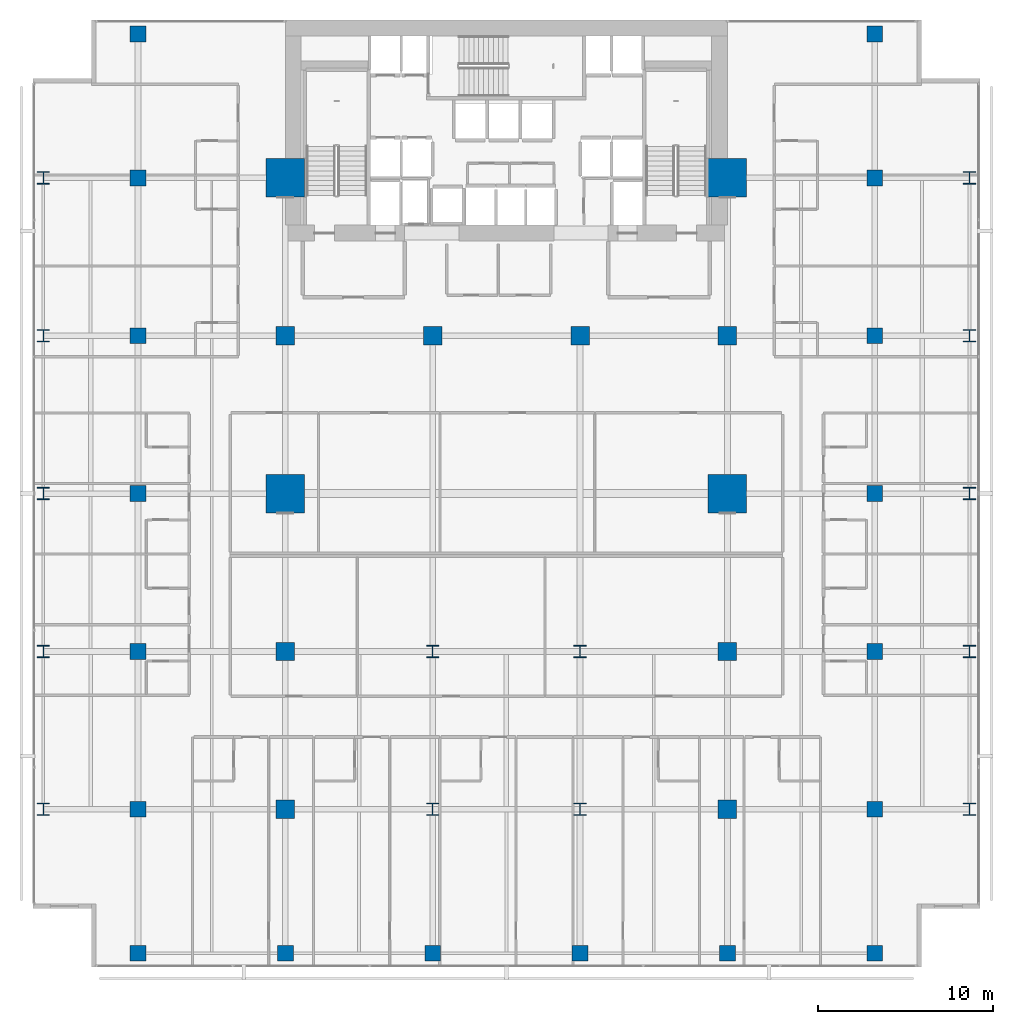
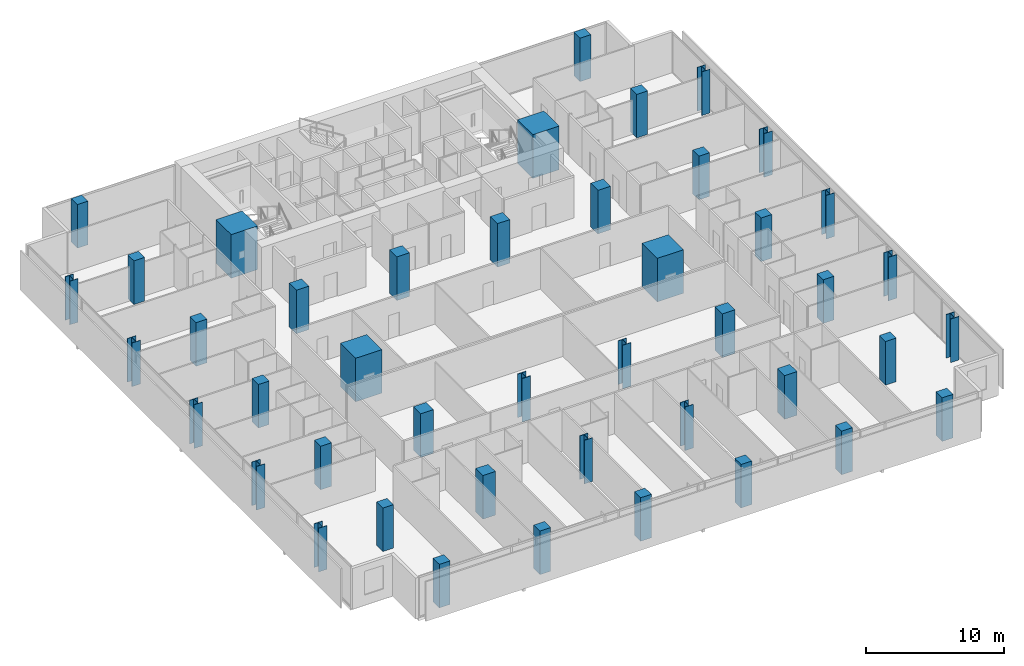
# One storey, part 1 of 41: 44 columns.
"""IFC4 building model written with IfcOpenShell, lengths in metres."""

import ifcopenshell
import ifcopenshell.guid

model = None  # the IFC model being written
_history = None  # IfcOwnerHistory: only IFC2X3 demands one
_inside = {}  # id of a spatial element -> (the spatial element, [elements in it])
_under = {}  # id of a project, library or spatial element -> (it, [spatial elements below it])
_declared = {}  # id of a project -> (the project, [libraries it declares])
_typed = {}  # id of a type object -> (the type object, [elements of that type])
_made_of = {}  # id of a material, layer set ... -> (it, [elements and type objects made of it])


def new_model(schema):
    """Start an empty IFC model of exactly this schema.

    Asked for "IFC4X3", IfcOpenShell would pick the latest addendum, in which some entities
    have other attributes; the version numbers below select the first issue.
    IFC2X3 requires an IfcOwnerHistory on every rooted entity: one is made here for all.
    """
    global model, _history
    if schema == "IFC4X3":
        model = ifcopenshell.file(schema_version=(4, 3, 0, 0))
    else:
        model = ifcopenshell.file(schema=schema)
    _inside.clear()
    _under.clear()
    _declared.clear()
    _typed.clear()
    _made_of.clear()
    _history = None
    if model.schema == "IFC2X3":
        org = make("IfcOrganization", Name="unknown")
        user = make(
            "IfcPersonAndOrganization",
            ThePerson=make("IfcPerson", FamilyName="unknown"),
            TheOrganization=org,
        )
        app = make(
            "IfcApplication",
            ApplicationDeveloper=org,
            Version="unknown",
            ApplicationFullName="unknown",
            ApplicationIdentifier="unknown",
        )
        _history = make(
            "IfcOwnerHistory",
            OwningUser=user,
            OwningApplication=app,
            ChangeAction="ADDED",
            CreationDate=0,
        )
    return model


def make(cls, **values):
    """One entity of the class cls with the attributes given. An attribute that is None is left unset."""
    return model.create_entity(
        cls, **{name: value for name, value in values.items() if value is not None}
    )


def rooted(cls, **values):
    """An entity with a GlobalId (a new one), such as an element, a storey or a relation."""
    return make(cls, GlobalId=ifcopenshell.guid.new(), OwnerHistory=_history, **values)


def si_unit(unit_type, name, prefix=None):
    """IfcSIUnit, for example si_unit("LENGTHUNIT", "METRE", prefix="MILLI")."""
    return make("IfcSIUnit", UnitType=unit_type, Prefix=prefix, Name=name)


def assignment(units):
    """IfcUnitAssignment: the units of a project."""
    return None if units is None else make("IfcUnitAssignment", Units=units)


def point(xyz):
    """IfcCartesianPoint."""
    return None if xyz is None else make("IfcCartesianPoint", Coordinates=xyz)


def direction(xyz):
    """IfcDirection."""
    return None if xyz is None else make("IfcDirection", DirectionRatios=xyz)


def frame(location, z_axis=None, x_axis=None):
    """IfcAxis2Placement3D, a coordinate frame: its origin and axes. An axis left out is left unset."""
    return make(
        "IfcAxis2Placement3D",
        Location=point(location),
        Axis=direction(z_axis),
        RefDirection=direction(x_axis),
    )


def frame_2d(location, x_axis=None):
    """IfcAxis2Placement2D, a coordinate frame in the plane: its origin and x axis."""
    return make(
        "IfcAxis2Placement2D", Location=point(location), RefDirection=direction(x_axis)
    )


def origin():
    """The frame at (0, 0, 0) with its axes left unset."""
    return frame((0.0, 0.0, 0.0))


def origin_2d():
    """The frame at (0, 0) in the plane with its x axis left unset."""
    return frame_2d((0.0, 0.0))


def place(relative_to, where):
    """IfcLocalPlacement: puts the frame where relative to a parent placement (None: the world)."""
    return make(
        "IfcLocalPlacement", PlacementRelTo=relative_to, RelativePlacement=where
    )


def context(
    kind, dimensions, precision=None, world=None, true_north=None, identifier=None
):
    """IfcGeometricRepresentationContext, for example the 3D "Model" context."""
    return make(
        "IfcGeometricRepresentationContext",
        ContextIdentifier=identifier,
        ContextType=kind,
        CoordinateSpaceDimension=dimensions,
        Precision=precision,
        WorldCoordinateSystem=world,
        TrueNorth=true_north,
    )


def subcontext(parent, identifier, kind, view, scale=None):
    """IfcGeometricRepresentationSubContext, for example "Body" below "Model"."""
    return make(
        "IfcGeometricRepresentationSubContext",
        ContextIdentifier=identifier,
        ContextType=kind,
        ParentContext=parent,
        TargetScale=scale,
        TargetView=view,
    )


def project(units=None, contexts=None):
    """IfcProject with its units and contexts."""
    return rooted(
        "IfcProject",
        Name="project",
        RepresentationContexts=contexts,
        UnitsInContext=assignment(units),
    )


def spatial(cls, under=None, at=None, **own):
    """A site, building, storey or space (cls), placed at a placement, below another one or the project."""
    s = rooted(cls, ObjectPlacement=at, **own)
    if under is not None:
        _under.setdefault(under.id(), (under, []))[1].append(s)
    return s


def profile(cls, at=None, kind="AREA", **sizes):
    """A parametric profile (cls). Its sizes go by their IFC names, for example OverallWidth=200.0."""
    return make(cls, ProfileType=kind, Position=at, **sizes)


def rectangle(**sizes):
    """IfcRectangleProfileDef."""
    return profile("IfcRectangleProfileDef", **sizes)


def i_section(**sizes):
    """IfcIShapeProfileDef."""
    return profile("IfcIShapeProfileDef", **sizes)


def extrude(swept, where, along, depth):
    """IfcExtrudedAreaSolid: the profile swept, set in the frame where, extruded along a direction by depth."""
    return make(
        "IfcExtrudedAreaSolid",
        SweptArea=swept,
        Position=where,
        ExtrudedDirection=direction(along),
        Depth=depth,
    )


def shape(context_of_items, identifier, shape_type, items):
    """IfcShapeRepresentation: the items that make up one representation, for example the "Body"."""
    return make(
        "IfcShapeRepresentation",
        ContextOfItems=context_of_items,
        RepresentationIdentifier=identifier,
        RepresentationType=shape_type,
        Items=items,
    )


def material(Name=None, Category=None):
    """IfcMaterial."""
    return make("IfcMaterial", Name=Name, Category=Category)


def material_profile(
    of_material, cross_section, Name=None, Category=None, Priority=None
):
    """IfcMaterialProfile: a cross section and its material."""
    return make(
        "IfcMaterialProfile",
        Name=Name,
        Material=of_material,
        Profile=cross_section,
        Priority=Priority,
        Category=Category,
    )


def profile_set(profiles, Name=None, composite=None):
    """IfcMaterialProfileSet."""
    return make(
        "IfcMaterialProfileSet",
        Name=Name,
        MaterialProfiles=profiles,
        CompositeProfile=composite,
    )


def made_of(thing, what):
    """Note that an element or type object is made of a material, layer set ...; save() writes the relation."""
    if what is not None:
        _made_of.setdefault(what.id(), (what, []))[1].append(thing)
    return thing


def type_object(cls, material=None, **own):
    """A type object (cls), such as IfcWallType, which elements share."""
    return made_of(rooted(cls, **own), material)


def element(
    cls,
    number,
    at=None,
    inside=None,
    cuts=None,
    type_object=None,
    material=None,
    context=None,
    identifier="Body",
    shape_type=None,
    held_by="IfcProductDefinitionShape",
    body=None,
    shapes=None,
    **own,
):
    """One element of the class cls, such as IfcWall. Its Tag is "e" and its number.

    at: its placement. inside: the storey or other place that contains it. cuts: it is an
    opening in that element (IfcRelVoidsElement). A single representation is given by context,
    identifier, shape_type and body (its items); several are given by shapes. held_by: the class
    of the entity that holds the representations. save() writes the other relations.
    """
    e = rooted(cls, Tag="e%d" % number, ObjectPlacement=at, **own)
    if body is not None:
        shapes = [shape(context, identifier, shape_type, body)]
    if shapes is not None:
        e.Representation = make(held_by, Representations=shapes)
    if inside is not None:
        _inside.setdefault(inside.id(), (inside, []))[1].append(e)
    if cuts is not None:
        rooted(
            "IfcRelVoidsElement", RelatingBuildingElement=cuts, RelatedOpeningElement=e
        )
    if type_object is not None:
        _typed.setdefault(type_object.id(), (type_object, []))[1].append(e)
    return made_of(e, material)


def aggregate(whole, parts):
    """IfcRelAggregates: a whole, such as a stair, and the parts it consists of."""
    return rooted("IfcRelAggregates", RelatingObject=whole, RelatedObjects=parts)


def save(model, path):
    """Write the relations noted so far, then the file.

    IfcRelAggregates (storeys below a building ...), IfcRelContainedInSpatialStructure (elements
    in a storey), IfcRelDefinesByType, IfcRelAssociatesMaterial and IfcRelDeclares: one each for
    every whole, place, type object, material and project.
    """
    for whole, parts in _under.values():
        aggregate(whole, parts)
    for where, things in _inside.values():
        rooted(
            "IfcRelContainedInSpatialStructure",
            RelatedElements=things,
            RelatingStructure=where,
        )
    for kind, things in _typed.values():
        rooted("IfcRelDefinesByType", RelatedObjects=things, RelatingType=kind)
    for what, things in _made_of.values():
        rooted("IfcRelAssociatesMaterial", RelatedObjects=things, RelatingMaterial=what)
    for by, libraries in _declared.values():
        rooted("IfcRelDeclares", RelatingContext=by, RelatedDefinitions=libraries)
    model.write(path)


model = new_model("IFC4")

# Units and contexts
model_context = context("Model", 3, precision=1e-05, world=origin(), true_north=direction((0.0, 1.0)))
body_context = subcontext(model_context, "Body", "Model", "MODEL_VIEW")
ifc_project = project(units=[si_unit("LENGTHUNIT", "METRE"), si_unit("AREAUNIT", "SQUARE_METRE"), si_unit("VOLUMEUNIT", "CUBIC_METRE"), si_unit("PLANEANGLEUNIT", "RADIAN"), si_unit("MASSUNIT", "GRAM", prefix="KILO")], contexts=[model_context])

# Site, building, storey
site_placement = place(None, origin())
site = spatial("IfcSite", under=ifc_project, at=site_placement, CompositionType="ELEMENT")
building_placement = place(site_placement, origin())
building = spatial("IfcBuilding", under=site, at=building_placement, Name="Maruvema Waterfront Hotel and Observation Tower", CompositionType="ELEMENT")
storey_placement = place(building_placement, frame((0.0, 0.0, 84.699951171875)))
storey = spatial("IfcBuildingStorey", under=building, at=storey_placement, Name="L20", CompositionType="ELEMENT", Elevation=84.699951171875)

# Columns
ifc_material_1 = material(Name="Concrete C80/95", Category="concrete")
ifc_material_profile_1 = material_profile(ifc_material_1, rectangle(XDim=2.199951171875, YDim=2.199951171875, at=origin_2d()), Name="MC2200x2200")
ifc_profile_set_1 = profile_set([ifc_material_profile_1], Name="Concrete C80/95")
column_type_1 = type_object("IfcColumnType", Name="Continuous Mega-Column MC2200x2200", PredefinedType="COLUMN", material=ifc_profile_set_1)
for number, where, z_axis, x_axis, name in (
    (1, (25.199951171875, 27.0, 0.0), (0.0, 0.0, 1.0), (1.0, 0.0, 0.0), "L20 Continuous Mega-Column MC-01"),
    (2, (50.39990234375, 27.0, 0.0), (0.0, 0.0, 1.0), (1.0, 0.0, 0.0), "L20 Continuous Mega-Column MC-02"),
    (3, (25.199951171875, 45.0, 0.0), (0.0, 0.0, 1.0), (1.0, 0.0, 0.0), "L20 Continuous Mega-Column MC-03"),
    (4, (50.39990234375, 45.0, 0.0), (0.0, 0.0, 1.0), (1.0, 0.0, 0.0), "L20 Continuous Mega-Column MC-04"),
):
    element("IfcColumn", number, at=place(storey_placement, frame(where, z_axis=z_axis, x_axis=x_axis)), inside=storey, type_object=column_type_1, Name=name, PredefinedType="COLUMN", context=body_context, shape_type="SweptSolid", body=[
        extrude(rectangle(XDim=2.199951171875, YDim=2.199951171875, at=origin_2d()), origin(), (0.0, 0.0, 1.0), 3.85009765625),
    ])
ifc_material_2 = material(Name="Concrete C60/75", Category="concrete")
ifc_material_profile_2 = material_profile(ifc_material_2, rectangle(XDim=1.050048828125, YDim=1.050048828125, at=origin_2d()), Name="RC1050x1050")
ifc_profile_set_2 = profile_set([ifc_material_profile_2], Name="Concrete C60/75")
column_type_2 = type_object("IfcColumnType", Name="Reinforced Concrete Column RC1050x1050", PredefinedType="COLUMN", material=ifc_profile_set_2)
for number, where, z_axis, x_axis, name in (
    (5, (25.199951171875, 36.0, 0.0), (0.0, 0.0, 1.0), (1.0, 0.0, 0.0), "L20 Column C-4E"),
    (6, (33.60009765625, 36.0, 0.0), (0.0, 0.0, 1.0), (1.0, 0.0, 0.0), "L20 Column C-5E"),
    (7, (42.0, 36.0, 0.0), (0.0, 0.0, 1.0), (1.0, 0.0, 0.0), "L20 Column C-6E"),
    (8, (50.39990234375, 36.0, 0.0), (0.0, 0.0, 1.0), (1.0, 0.0, 0.0), "L20 Column C-7E"),
    (9, (25.199951171875, 18.0, 0.0), (0.0, 0.0, 1.0), (1.0, 0.0, 0.0), "L20 Column C-4C"),
    (10, (50.39990234375, 18.0, 0.0), (0.0, 0.0, 1.0), (1.0, 0.0, 0.0), "L20 Column C-7C"),
    (11, (25.199951171875, 9.0, 0.0), (0.0, 0.0, 1.0), (1.0, 0.0, 0.0), "L20 Column C-4B"),
    (12, (50.39990234375, 9.0, 0.0), (0.0, 0.0, 1.0), (1.0, 0.0, 0.0), "L20 Column C-7B"),
):
    element("IfcColumn", number, at=place(storey_placement, frame(where, z_axis=z_axis, x_axis=x_axis)), inside=storey, type_object=column_type_2, Name=name, PredefinedType="COLUMN", context=body_context, shape_type="SweptSolid", body=[
        extrude(rectangle(XDim=1.050048828125, YDim=1.050048828125, at=origin_2d()), origin(), (0.0, 0.0, 1.0), 3.85009765625),
    ])
ifc_material_3 = material(Name="Concrete C60/75", Category="concrete")
ifc_material_profile_3 = material_profile(ifc_material_3, rectangle(XDim=0.89990234375, YDim=0.89990234375, at=origin_2d()), Name="RC900x900")
ifc_profile_set_3 = profile_set([ifc_material_profile_3], Name="Concrete C60/75")
column_type_3 = type_object("IfcColumnType", Name="Reinforced Concrete Column RC900x900", PredefinedType="COLUMN", material=ifc_profile_set_3)
for number, where, z_axis, x_axis, name in (
    (13, (16.800048828125, 9.0, 0.0), (0.0, 0.0, 1.0), (1.0, 0.0, 0.0), "L20 Column C-3Y9"),
    (14, (58.800048828125, 9.0, 0.0), (0.0, 0.0, 1.0), (1.0, 0.0, 0.0), "L20 Column C-8Y9"),
    (15, (16.800048828125, 18.0, 0.0), (0.0, 0.0, 1.0), (1.0, 0.0, 0.0), "L20 Column C-3Y18"),
    (16, (58.800048828125, 18.0, 0.0), (0.0, 0.0, 1.0), (1.0, 0.0, 0.0), "L20 Column C-8Y18"),
    (17, (16.800048828125, 27.0, 0.0), (0.0, 0.0, 1.0), (1.0, 0.0, 0.0), "L20 Column C-3Y27"),
    (18, (58.800048828125, 27.0, 0.0), (0.0, 0.0, 1.0), (1.0, 0.0, 0.0), "L20 Column C-8Y27"),
    (19, (16.800048828125, 36.0, 0.0), (0.0, 0.0, 1.0), (1.0, 0.0, 0.0), "L20 Column C-3Y36"),
    (20, (58.800048828125, 36.0, 0.0), (0.0, 0.0, 1.0), (1.0, 0.0, 0.0), "L20 Column C-8Y36"),
    (21, (16.800048828125, 45.0, 0.0), (0.0, 0.0, 1.0), (1.0, 0.0, 0.0), "L20 Column C-3Y45"),
    (22, (58.800048828125, 45.0, 0.0), (0.0, 0.0, 1.0), (1.0, 0.0, 0.0), "L20 Column C-8Y45"),
    (23, (16.800048828125, 0.800048828125, 0.0), (0.0, 0.0, 1.0), (1.0, 0.0, 0.0), "L20 Column C-3A"),
    (24, (25.199951171875, 0.800048828125, 0.0), (0.0, 0.0, 1.0), (1.0, 0.0, 0.0), "L20 Column C-4A"),
    (25, (33.60009765625, 0.800048828125, 0.0), (0.0, 0.0, 1.0), (1.0, 0.0, 0.0), "L20 Column C-5A"),
    (26, (42.0, 0.800048828125, 0.0), (0.0, 0.0, 1.0), (1.0, 0.0, 0.0), "L20 Column C-6A"),
    (27, (50.39990234375, 0.800048828125, 0.0), (0.0, 0.0, 1.0), (1.0, 0.0, 0.0), "L20 Column C-7A"),
    (28, (58.800048828125, 0.800048828125, 0.0), (0.0, 0.0, 1.0), (1.0, 0.0, 0.0), "L20 Column C-8A"),
    (29, (16.800048828125, 53.199951171875, 0.0), (0.0, 0.0, 1.0), (1.0, 0.0, 0.0), "L20 Column C-3G"),
    (30, (58.800048828125, 53.199951171875, 0.0), (0.0, 0.0, 1.0), (1.0, 0.0, 0.0), "L20 Column C-8G"),
):
    element("IfcColumn", number, at=place(storey_placement, frame(where, z_axis=z_axis, x_axis=x_axis)), inside=storey, type_object=column_type_3, Name=name, PredefinedType="COLUMN", context=body_context, shape_type="SweptSolid", body=[
        extrude(rectangle(XDim=0.89990234375, YDim=0.89990234375, at=origin_2d()), origin(), (0.0, 0.0, 1.0), 3.85009765625),
    ])
ifc_material_4 = material(Name="Steel ABNT NBR 7007 AR 415 (ASTM A572 Grade 50)", Category="steel")
ifc_material_profile_4 = material_profile(ifc_material_4, i_section(OverallWidth=0.699951171875, OverallDepth=0.699951171875, WebThickness=0.028076171875, FlangeThickness=0.0439453125, at=origin_2d()), Name="CVS700x436")
ifc_profile_set_4 = profile_set([ifc_material_profile_4], Name="Steel ABNT NBR 7007 AR 415 (ASTM A572 Grade 50)")
column_type_4 = type_object("IfcColumnType", Name="Structural Steel Column CVS700x436", PredefinedType="COLUMN", material=ifc_profile_set_4)
for number, where, z_axis, x_axis, name in (
    (31, (33.60009765625, 9.0, 0.0), (0.0, 0.0, 1.0), (1.0, 0.0, 0.0), "L20 Column C-5B"),
    (32, (42.0, 9.0, 0.0), (0.0, 0.0, 1.0), (1.0, 0.0, 0.0), "L20 Column C-6B"),
    (33, (33.60009765625, 18.0, 0.0), (0.0, 0.0, 1.0), (1.0, 0.0, 0.0), "L20 Column C-5C"),
    (34, (42.0, 18.0, 0.0), (0.0, 0.0, 1.0), (1.0, 0.0, 0.0), "L20 Column C-6C"),
    (35, (11.39990234375, 9.0, 0.0), (0.0, 0.0, 1.0), (1.0, 0.0, 0.0), "L20 Column C-Z1W9"),
    (36, (64.199951171875, 9.0, 0.0), (0.0, 0.0, 1.0), (1.0, 0.0, 0.0), "L20 Column C-Z1E9"),
    (37, (11.39990234375, 18.0, 0.0), (0.0, 0.0, 1.0), (1.0, 0.0, 0.0), "L20 Column C-Z1W18"),
    (38, (64.199951171875, 18.0, 0.0), (0.0, 0.0, 1.0), (1.0, 0.0, 0.0), "L20 Column C-Z1E18"),
    (39, (11.39990234375, 27.0, 0.0), (0.0, 0.0, 1.0), (1.0, 0.0, 0.0), "L20 Column C-Z1W27"),
    (40, (64.199951171875, 27.0, 0.0), (0.0, 0.0, 1.0), (1.0, 0.0, 0.0), "L20 Column C-Z1E27"),
    (41, (11.39990234375, 36.0, 0.0), (0.0, 0.0, 1.0), (1.0, 0.0, 0.0), "L20 Column C-Z1W36"),
    (42, (64.199951171875, 36.0, 0.0), (0.0, 0.0, 1.0), (1.0, 0.0, 0.0), "L20 Column C-Z1E36"),
    (43, (11.39990234375, 45.0, 0.0), (0.0, 0.0, 1.0), (1.0, 0.0, 0.0), "L20 Column C-Z1W45"),
    (44, (64.199951171875, 45.0, 0.0), (0.0, 0.0, 1.0), (1.0, 0.0, 0.0), "L20 Column C-Z1E45"),
):
    element("IfcColumn", number, at=place(storey_placement, frame(where, z_axis=z_axis, x_axis=x_axis)), inside=storey, type_object=column_type_4, Name=name, PredefinedType="COLUMN", context=body_context, shape_type="SweptSolid", body=[
        extrude(i_section(OverallWidth=0.699951171875, OverallDepth=0.699951171875, WebThickness=0.028076171875, FlangeThickness=0.0439453125, at=origin_2d()), origin(), (0.0, 0.0, 1.0), 3.85009765625),
    ])

save(model, "model.ifc")
